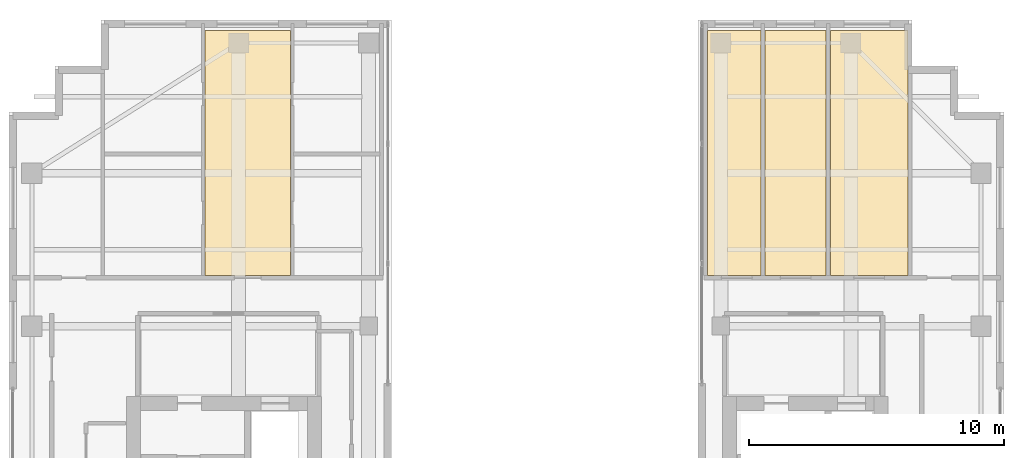
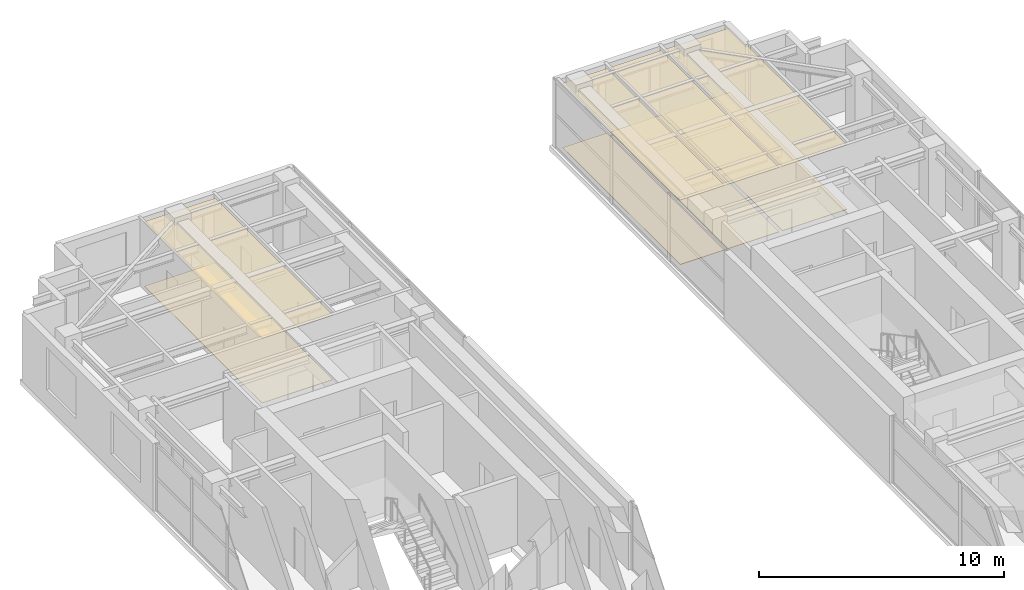
# One storey, part 23 of 23: 8 coverings.
"""IFC4 building model written with IfcOpenShell, lengths in metres."""

from ifc_helpers import new_model, si_unit, direction, frame, origin, place, context, subcontext, project, spatial, polyline, outline, extrude, material, layer, layer_set, type_object, element, save


model = new_model("IFC4")

# Units and contexts
model_context = context("Model", 3, precision=1e-05, world=origin(), true_north=direction((0.0, 1.0)))
body_context = subcontext(model_context, "Body", "Model", "MODEL_VIEW")
ifc_project = project(units=[si_unit("LENGTHUNIT", "METRE"), si_unit("AREAUNIT", "SQUARE_METRE"), si_unit("VOLUMEUNIT", "CUBIC_METRE"), si_unit("PLANEANGLEUNIT", "RADIAN"), si_unit("MASSUNIT", "GRAM", prefix="KILO")], contexts=[model_context])

# Site, building, storey
site_placement = place(None, origin())
site = spatial("IfcSite", under=ifc_project, at=site_placement, CompositionType="ELEMENT")
building_placement = place(site_placement, origin())
building = spatial("IfcBuilding", under=site, at=building_placement, Name="Khoralis Quay Care Tower", CompositionType="ELEMENT")
storey_placement = place(building_placement, frame((0.0, 0.0, 252.89990234375)))
storey = spatial("IfcBuildingStorey", under=building, at=storey_placement, Name="L66", CompositionType="ELEMENT", Elevation=252.89990234375)

# Coverings
ifc_material_1 = material(Name="Mineral-fibre acoustic ceiling tile")
ifc_layer_1 = layer(ifc_material_1, 0.01806640625)
ifc_layer_set_1 = layer_set([ifc_layer_1], Name="Mineral-fibre acoustic ceiling tile")
covering_type_1 = type_object("IfcCoveringType", Name="COV-CEIL-AC18", PredefinedType="CEILING", material=ifc_layer_set_1)
covering_1_placement = place(storey_placement, frame((0.0, 0.0, 3.212158203125)))
element("IfcCovering", 1, at=covering_1_placement, inside=storey, type_object=covering_type_1, Name="Suspended Acoustic Ceiling SP-L66-WN-F2LIV0", PredefinedType="CEILING", context=body_context, shape_type="SweptSolid", body=[
    extrude(outline(polyline([(10.69091796875, 31.97998046875), (14.02587890625, 31.97998046875), (14.02587890625, 41.580078125), (10.69091796875, 41.580078125), (10.69091796875, 31.97998046875)])), origin(), (0.0, 0.0, 1.0), 0.017822265625),
])
covering_2_placement = place(storey_placement, frame((0.0, 0.0, 3.212158203125)))
element("IfcCovering", 2, at=covering_2_placement, inside=storey, type_object=covering_type_1, Name="Suspended Acoustic Ceiling SP-L66-EN-COM0", PredefinedType="CEILING", context=body_context, shape_type="SweptSolid", body=[
    extrude(outline(polyline([(30.3798828125, 31.97998046875), (32.469970703125, 31.97998046875), (32.469970703125, 41.580078125), (30.3798828125, 41.580078125), (30.3798828125, 31.97998046875)])), origin(), (0.0, 0.0, 1.0), 0.017822265625),
])
covering_3_placement = place(storey_placement, frame((0.0, 0.0, 3.212158203125)))
element("IfcCovering", 3, at=covering_3_placement, inside=storey, type_object=covering_type_1, Name="Suspended Acoustic Ceiling SP-L66-EN-COM1", PredefinedType="CEILING", context=body_context, shape_type="SweptSolid", body=[
    extrude(outline(polyline([(32.6298828125, 31.97998046875), (35.030029296875, 31.97998046875), (35.030029296875, 41.580078125), (32.6298828125, 41.580078125), (32.6298828125, 31.97998046875)])), origin(), (0.0, 0.0, 1.0), 0.017822265625),
])
covering_4_placement = place(storey_placement, frame((0.0, 0.0, 3.212158203125)))
element("IfcCovering", 4, at=covering_4_placement, inside=storey, type_object=covering_type_1, Name="Suspended Acoustic Ceiling SP-L66-EN-COM2", PredefinedType="CEILING", context=body_context, shape_type="SweptSolid", body=[
    extrude(outline(polyline([(35.18994140625, 31.97998046875), (38.239990234375, 31.97998046875), (38.239990234375, 41.580078125), (35.18994140625, 41.580078125), (35.18994140625, 31.97998046875)])), origin(), (0.0, 0.0, 1.0), 0.017822265625),
])
ifc_material_2 = material(Name="Porcelain and non-slip vinyl flooring")
ifc_layer_2 = layer(ifc_material_2, 0.02001953125)
ifc_layer_set_2 = layer_set([ifc_layer_2], Name="Porcelain and non-slip vinyl flooring")
covering_type_2 = type_object("IfcCoveringType", Name="COV-FLOOR-20", PredefinedType="FLOORING", material=ifc_layer_set_2)
covering_5_placement = place(storey_placement, origin())
element("IfcCovering", 5, at=covering_5_placement, inside=storey, type_object=covering_type_2, Name="Resilient Healthcare Flooring SP-L66-WN-F2LIV0", PredefinedType="FLOORING", context=body_context, shape_type="SweptSolid", body=[
    extrude(outline(polyline([(10.69091796875, 31.97998046875), (14.02587890625, 31.97998046875), (14.02587890625, 41.580078125), (10.69091796875, 41.580078125), (10.69091796875, 31.97998046875)])), origin(), (0.0, 0.0, 1.0), 0.02001953125),
])
covering_6_placement = place(storey_placement, origin())
element("IfcCovering", 6, at=covering_6_placement, inside=storey, type_object=covering_type_2, Name="Resilient Healthcare Flooring SP-L66-EN-COM0", PredefinedType="FLOORING", context=body_context, shape_type="SweptSolid", body=[
    extrude(outline(polyline([(30.3798828125, 31.97998046875), (32.469970703125, 31.97998046875), (32.469970703125, 41.580078125), (30.3798828125, 41.580078125), (30.3798828125, 31.97998046875)])), origin(), (0.0, 0.0, 1.0), 0.02001953125),
])
covering_7_placement = place(storey_placement, origin())
element("IfcCovering", 7, at=covering_7_placement, inside=storey, type_object=covering_type_2, Name="Resilient Healthcare Flooring SP-L66-EN-COM1", PredefinedType="FLOORING", context=body_context, shape_type="SweptSolid", body=[
    extrude(outline(polyline([(32.6298828125, 31.97998046875), (35.030029296875, 31.97998046875), (35.030029296875, 41.580078125), (32.6298828125, 41.580078125), (32.6298828125, 31.97998046875)])), origin(), (0.0, 0.0, 1.0), 0.02001953125),
])
covering_8_placement = place(storey_placement, origin())
element("IfcCovering", 8, at=covering_8_placement, inside=storey, type_object=covering_type_2, Name="Resilient Healthcare Flooring SP-L66-EN-COM2", PredefinedType="FLOORING", context=body_context, shape_type="SweptSolid", body=[
    extrude(outline(polyline([(35.18994140625, 31.97998046875), (38.239990234375, 31.97998046875), (38.239990234375, 41.580078125), (35.18994140625, 41.580078125), (35.18994140625, 31.97998046875)])), origin(), (0.0, 0.0, 1.0), 0.02001953125),
])

save(model, "model.ifc")
